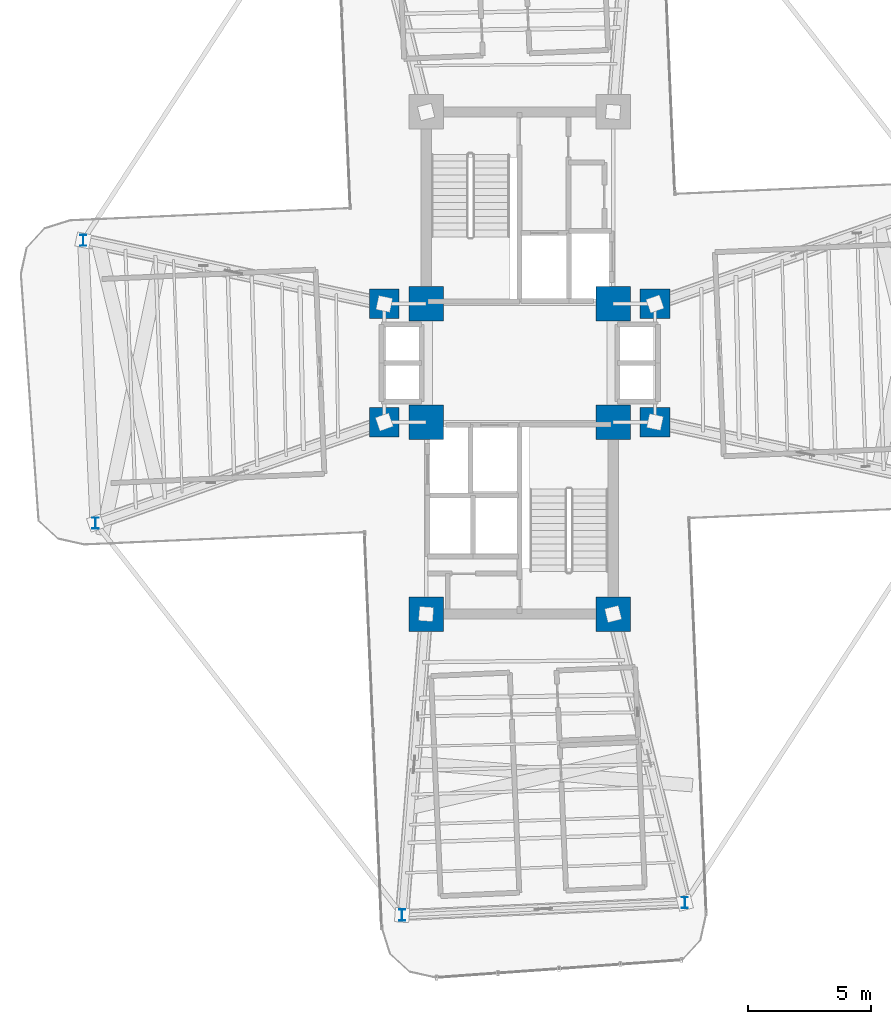
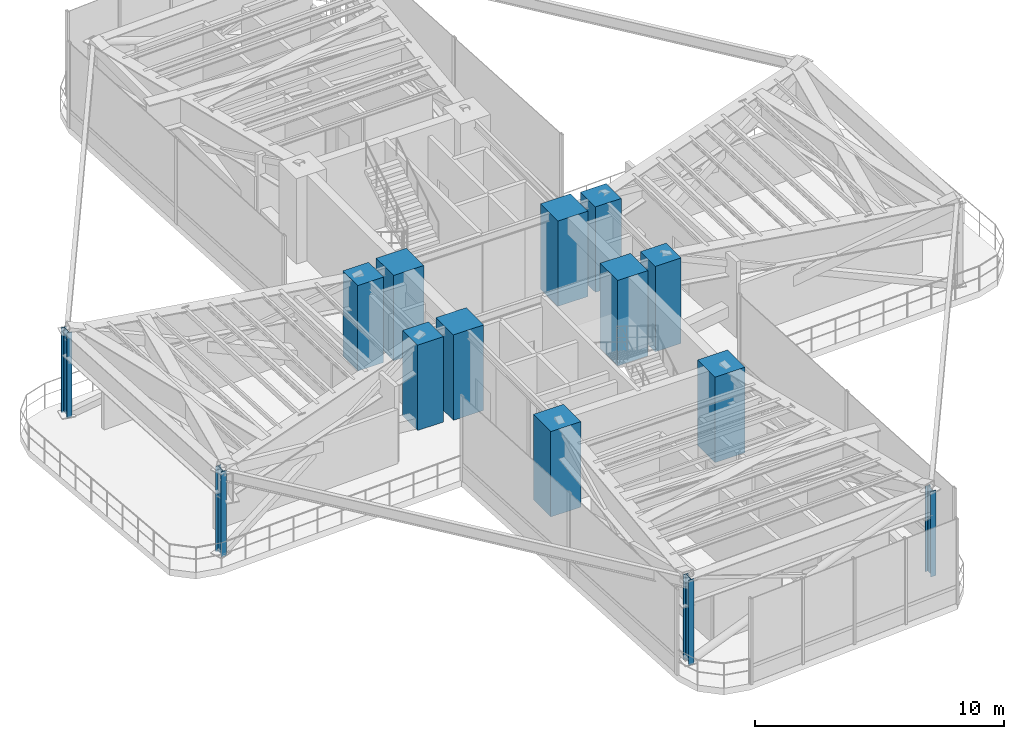
# One storey, part 1 of 18: 14 columns.
"""IFC4 building model written with IfcOpenShell, lengths in metres."""

from ifc_helpers import new_model, si_unit, direction, frame, origin, origin_2d, place, context, subcontext, project, spatial, rectangle, i_section, extrude, source, transform, mapped, material, material_profile, profile_set, type_object, element, save


model = new_model("IFC4")

# Units and contexts
model_context = context("Model", 3, precision=1e-05, world=origin(), true_north=direction((0.0, 1.0)))
body_context = subcontext(model_context, "Body", "Model", "MODEL_VIEW")
ifc_project = project(units=[si_unit("LENGTHUNIT", "METRE"), si_unit("AREAUNIT", "SQUARE_METRE"), si_unit("VOLUMEUNIT", "CUBIC_METRE"), si_unit("PLANEANGLEUNIT", "RADIAN"), si_unit("MASSUNIT", "GRAM", prefix="KILO")], contexts=[model_context])

# Site, building, storey
site_placement = place(None, origin())
site = spatial("IfcSite", under=ifc_project, at=site_placement, CompositionType="ELEMENT")
building_placement = place(site_placement, origin())
building = spatial("IfcBuilding", under=site, at=building_placement, Name="Sahyath Konkavel Grand Hotel", CompositionType="ELEMENT")
storey_placement = place(building_placement, frame((0.0, 0.0, 138.25)))
storey = spatial("IfcBuildingStorey", under=building, at=storey_placement, Name="L38", CompositionType="ELEMENT", Elevation=138.25)

# Columns
ifc_material_1 = material(Name="Concrete C70/85", Category="concrete")
ifc_material_profile_1 = material_profile(ifc_material_1, rectangle(XDim=1.39990234375, YDim=1.39990234375, at=origin_2d()), Name="RC 1400x1400")
ifc_profile_set_1 = profile_set([ifc_material_profile_1], Name="Concrete C70/85")
column_type_1 = type_object("IfcColumnType", Name="COL-RC1400", PredefinedType="COLUMN", material=ifc_profile_set_1)
shared_shape_1 = source(origin(), body_context, "Body", "SweptSolid", [
    extrude(rectangle(XDim=1.39990234375, YDim=1.39990234375, at=origin_2d()), origin(), (0.0, 0.0, 1.0), 4.179931640625),
])
for number, where, z_axis, x_axis, name in (
    (1, (-3.800048828125, 2.39990234375, 0.0), (0.0, 0.0, 1.0), (1.0, 0.0, 0.0), "L38 Core Boundary Column NC-SW"),
    (2, (3.800048828125, 2.39990234375, 0.0), (0.0, 0.0, 1.0), (1.0, 0.0, 0.0), "L38 Core Boundary Column NC-SE"),
    (3, (-3.800048828125, -2.39990234375, 0.0), (0.0, 0.0, 1.0), (1.0, 0.0, 0.0), "L38 Core Boundary Column SC-NW"),
    (4, (3.800048828125, -2.39990234375, 0.0), (0.0, 0.0, 1.0), (1.0, 0.0, 0.0), "L38 Core Boundary Column SC-NE"),
    (5, (-3.800048828125, -10.199951171875, 0.0), (0.0, 0.0, 1.0), (1.0, 0.0, 0.0), "L38 Core Boundary Column SC-SW"),
    (6, (3.800048828125, -10.199951171875, 0.0), (0.0, 0.0, 1.0), (1.0, 0.0, 0.0), "L38 Core Boundary Column SC-SE"),
):
    element("IfcColumn", number, at=place(storey_placement, frame(where, z_axis=z_axis, x_axis=x_axis)), inside=storey, type_object=column_type_1, Name=name, PredefinedType="COLUMN", context=body_context, shape_type="MappedRepresentation", body=[
        mapped(shared_shape_1, transform((0.0, 0.0, 0.0), scale=1.0)),
    ])
ifc_material_2 = material(Name="Steel E450", Category="steel")
ifc_material_profile_2 = material_profile(ifc_material_2, i_section(OverallWidth=0.25, OverallDepth=0.449951171875, WebThickness=0.013671875, FlangeThickness=0.013671875, FilletRadius=0.014892578125, at=origin_2d()), Name="ISHB 450")
ifc_profile_set_2 = profile_set([ifc_material_profile_2], Name="Steel E450")
column_type_2 = type_object("IfcColumnType", Name="COL-ISHB450", PredefinedType="COLUMN", material=ifc_profile_set_2)
shared_shape_2 = source(origin(), body_context, "Body", "SweptSolid", [
    extrude(i_section(OverallWidth=0.25, OverallDepth=0.449951171875, WebThickness=0.013671875, FlangeThickness=0.013671875, FilletRadius=0.014892578125, at=origin_2d()), origin(), (0.0, 0.0, 1.0), 4.179931640625),
])
for number, where, z_axis, x_axis, name in (
    (7, (-17.734130859375, 4.981201171875, 0.0), (0.0, 0.0, 1.0), (1.0, 0.0, 0.0), "L38 Cruciform Wing Column WC-WA"),
    (8, (-17.232421875, -6.5078125, 0.0), (0.0, 0.0, 1.0), (1.0, 0.0, 0.0), "L38 Cruciform Wing Column WC-WB"),
    (9, (-4.776123046875, -22.4296875, 0.0), (0.0, 0.0, 1.0), (1.0, 0.0, 0.0), "L38 Cruciform Wing Column WC-SA"),
    (10, (6.712890625, -21.927978515625, 0.0), (0.0, 0.0, 1.0), (1.0, 0.0, 0.0), "L38 Cruciform Wing Column WC-SB"),
):
    element("IfcColumn", number, at=place(storey_placement, frame(where, z_axis=z_axis, x_axis=x_axis)), inside=storey, type_object=column_type_2, Name=name, PredefinedType="COLUMN", context=body_context, shape_type="MappedRepresentation", body=[
        mapped(shared_shape_2, transform((0.0, 0.0, 0.0), scale=1.0)),
    ])
ifc_material_3 = material(Name="Concrete C50/60", Category="concrete")
ifc_material_profile_3 = material_profile(ifc_material_3, rectangle(XDim=1.199951171875, YDim=1.199951171875, at=origin_2d()), Name="RC 1200x1200")
ifc_profile_set_3 = profile_set([ifc_material_profile_3], Name="Concrete C50/60")
column_type_3 = type_object("IfcColumnType", Name="COL-RC1200", PredefinedType="COLUMN", material=ifc_profile_set_3)
shared_shape_3 = source(origin(), body_context, "Body", "SweptSolid", [
    extrude(rectangle(XDim=1.199951171875, YDim=1.199951171875, at=origin_2d()), origin(), (0.0, 0.0, 1.0), 4.179931640625),
])
for number, where, z_axis, x_axis, name in (
    (11, (5.5, 2.39990234375, 0.0), (0.0, 0.0, 1.0), (1.0, 0.0, 0.0), "L38 Central Spine Column HB-NE"),
    (12, (-5.5, 2.39990234375, 0.0), (0.0, 0.0, 1.0), (1.0, 0.0, 0.0), "L38 Central Spine Column HB-NW"),
    (13, (5.5, -2.39990234375, 0.0), (0.0, 0.0, 1.0), (1.0, 0.0, 0.0), "L38 Central Spine Column HB-SE"),
    (14, (-5.5, -2.39990234375, 0.0), (0.0, 0.0, 1.0), (1.0, 0.0, 0.0), "L38 Central Spine Column HB-SW"),
):
    element("IfcColumn", number, at=place(storey_placement, frame(where, z_axis=z_axis, x_axis=x_axis)), inside=storey, type_object=column_type_3, Name=name, PredefinedType="COLUMN", context=body_context, shape_type="MappedRepresentation", body=[
        mapped(shared_shape_3, transform((0.0, 0.0, 0.0), scale=1.0)),
    ])

save(model, "model.ifc")
